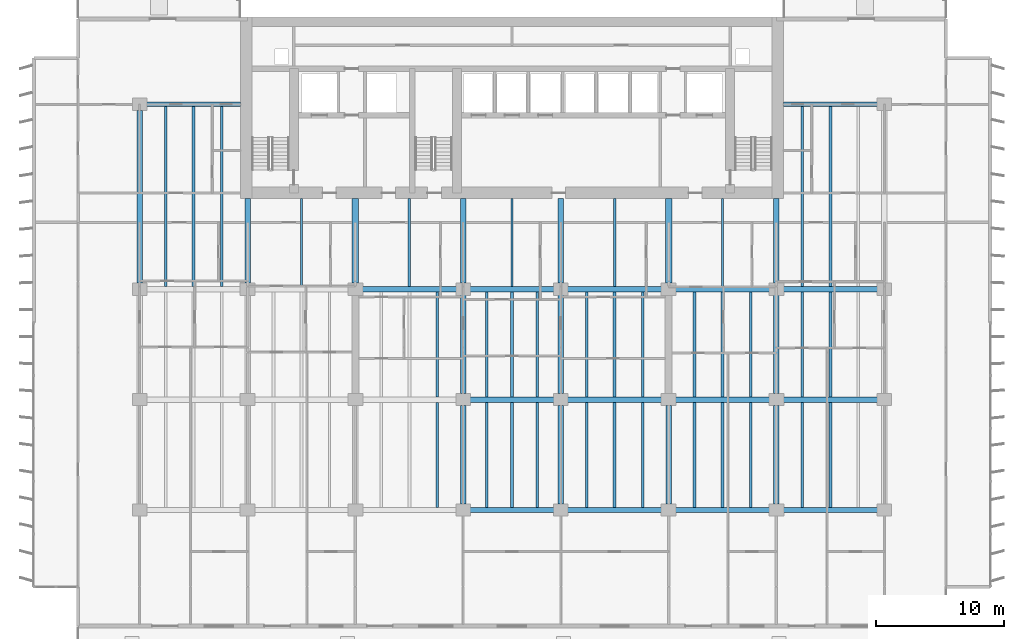
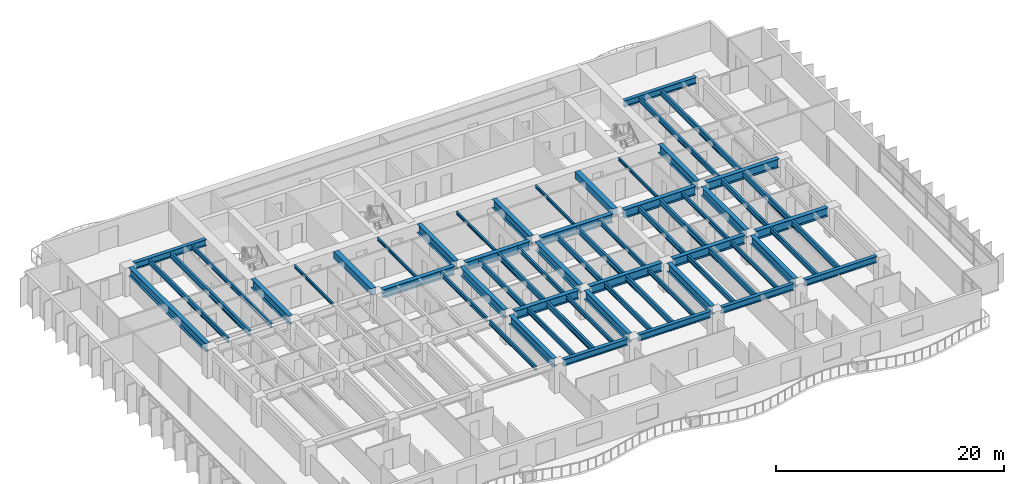
# One storey, part 3 of 17: 63 beams.
"""IFC4 building model written with IfcOpenShell, lengths in metres."""

from ifc_helpers import new_model, si_unit, direction, frame, origin, origin_2d, place, context, subcontext, project, spatial, rectangle, i_section, extrude, material, material_profile, profile_set, type_object, element, save


model = new_model("IFC4")

# Units and contexts
model_context = context("Model", 3, precision=1e-05, world=origin(), true_north=direction((0.0, 1.0)))
body_context = subcontext(model_context, "Body", "Model", "MODEL_VIEW")
ifc_project = project(units=[si_unit("LENGTHUNIT", "METRE"), si_unit("AREAUNIT", "SQUARE_METRE"), si_unit("VOLUMEUNIT", "CUBIC_METRE"), si_unit("PLANEANGLEUNIT", "RADIAN"), si_unit("MASSUNIT", "GRAM", prefix="KILO")], contexts=[model_context])

# Site, building, storey
site_placement = place(None, origin())
site = spatial("IfcSite", under=ifc_project, at=site_placement, CompositionType="ELEMENT")
building_placement = place(site_placement, origin())
building = spatial("IfcBuilding", under=site, at=building_placement, Name="Caelmar Bay Residences", CompositionType="ELEMENT")
storey_placement = place(building_placement, frame((0.0, 0.0, 53.10009765625)))
storey = spatial("IfcBuildingStorey", under=building, at=storey_placement, Name="L13", CompositionType="ELEMENT", Elevation=53.10009765625)

# Beams
ifc_material_1 = material(Name="Steel ASTM A992 Grade 50", Category="steel")
ifc_material_profile_1 = material_profile(ifc_material_1, i_section(OverallWidth=0.422119140625, OverallDepth=0.925048828125, WebThickness=0.021240234375, FlangeThickness=0.03662109375, FilletRadius=0.020263671875, at=origin_2d()), Name="W36X262")
ifc_profile_set_1 = profile_set([ifc_material_profile_1], Name="Steel ASTM A992 Grade 50")
beam_type_1 = type_object("IfcBeamType", Name="BM-GRD-W36X262", PredefinedType="BEAM", material=ifc_profile_set_1)
beam_1_placement = place(storey_placement, frame((35.639892578125, 20.800048828125, 2.58740234375), z_axis=(1.0, 0.0, 0.0), x_axis=(0.0, 1.0, 0.0)))
element("IfcBeam", 1, at=beam_1_placement, inside=storey, type_object=beam_type_1, Name="L13 East-West Girder Y=20.80 (35.1-42.7)", PredefinedType="BEAM", context=body_context, shape_type="SweptSolid", body=[
    extrude(i_section(OverallWidth=0.422119140625, OverallDepth=0.925048828125, WebThickness=0.021240234375, FlangeThickness=0.03662109375, FilletRadius=0.020263671875, at=origin_2d()), origin(), (0.0, 0.0, 1.0), 6.52001953125),
])
for number, where, z_axis, x_axis, name in (
    (2, (43.239990234375, 20.800048828125, 2.58740234375), (1.0, 0.0, 0.0), (0.0, 1.0, 0.0), "L13 East-West Girder Y=20.80 (42.7-51.1)"),
    (3, (51.639892578125, 20.800048828125, 2.58740234375), (1.0, 0.0, 0.0), (0.0, 1.0, 0.0), "L13 East-West Girder Y=20.80 (51.1-59.5)"),
    (4, (60.0400390625, 20.800048828125, 2.58740234375), (1.0, 0.0, 0.0), (0.0, 1.0, 0.0), "L13 East-West Girder Y=20.80 (59.5-67.9)"),
    (5, (27.239990234375, 29.39990234375, 2.58740234375), (1.0, 0.0, 0.0), (0.0, 1.0, 0.0), "L13 East-West Girder Y=29.40 (26.7-35.1)"),
):
    element("IfcBeam", number, at=place(storey_placement, frame(where, z_axis=z_axis, x_axis=x_axis)), inside=storey, type_object=beam_type_1, Name=name, PredefinedType="BEAM", context=body_context, shape_type="SweptSolid", body=[
        extrude(i_section(OverallWidth=0.422119140625, OverallDepth=0.925048828125, WebThickness=0.021240234375, FlangeThickness=0.03662109375, FilletRadius=0.020263671875, at=origin_2d()), origin(), (0.0, 0.0, 1.0), 7.320068359375),
    ])
beam_2_placement = place(storey_placement, frame((35.639892578125, 29.39990234375, 2.58740234375), z_axis=(1.0, 0.0, 0.0), x_axis=(0.0, 1.0, 0.0)))
element("IfcBeam", 6, at=beam_2_placement, inside=storey, type_object=beam_type_1, Name="L13 East-West Girder Y=29.40 (35.1-42.7)", PredefinedType="BEAM", context=body_context, shape_type="SweptSolid", body=[
    extrude(i_section(OverallWidth=0.422119140625, OverallDepth=0.925048828125, WebThickness=0.021240234375, FlangeThickness=0.03662109375, FilletRadius=0.020263671875, at=origin_2d()), origin(), (0.0, 0.0, 1.0), 6.52001953125),
])
for number, where, z_axis, x_axis, name in (
    (7, (43.239990234375, 29.39990234375, 2.58740234375), (1.0, 0.0, 0.0), (0.0, 1.0, 0.0), "L13 East-West Girder Y=29.40 (42.7-51.1)"),
    (8, (51.639892578125, 29.39990234375, 2.58740234375), (1.0, 0.0, 0.0), (0.0, 1.0, 0.0), "L13 East-West Girder Y=29.40 (51.1-59.5)"),
    (9, (60.0400390625, 29.39990234375, 2.58740234375), (1.0, 0.0, 0.0), (0.0, 1.0, 0.0), "L13 East-West Girder Y=29.40 (59.5-67.9)"),
):
    element("IfcBeam", number, at=place(storey_placement, frame(where, z_axis=z_axis, x_axis=x_axis)), inside=storey, type_object=beam_type_1, Name=name, PredefinedType="BEAM", context=body_context, shape_type="SweptSolid", body=[
        extrude(i_section(OverallWidth=0.422119140625, OverallDepth=0.925048828125, WebThickness=0.021240234375, FlangeThickness=0.03662109375, FilletRadius=0.020263671875, at=origin_2d()), origin(), (0.0, 0.0, 1.0), 7.320068359375),
    ])
beam_3_placement = place(storey_placement, frame((9.89990234375, 29.864990234375, 2.58740234375), z_axis=(0.0, 1.0, 0.0), x_axis=(-1.0, 0.0, 0.0)))
element("IfcBeam", 10, at=beam_3_placement, inside=storey, type_object=beam_type_1, Name="L13 North-South Girder X=9.90 (29.4-43.8)", PredefinedType="BEAM", context=body_context, shape_type="SweptSolid", body=[
    extrude(i_section(OverallWidth=0.422119140625, OverallDepth=0.925048828125, WebThickness=0.021240234375, FlangeThickness=0.03662109375, FilletRadius=0.020263671875, at=origin_2d()), origin(), (0.0, 0.0, 1.0), 13.469970703125),
])
for number, where, z_axis, x_axis, name in (
    (11, (18.300048828125, 29.864990234375, 2.58740234375), (0.0, 1.0, 0.0), (-1.0, 0.0, 0.0), "L13 Core Tie Girder X=18.30"),
    (12, (35.10009765625, 29.864990234375, 2.58740234375), (0.0, 1.0, 0.0), (-1.0, 0.0, 0.0), "L13 Core Tie Girder X=35.10"),
):
    element("IfcBeam", number, at=place(storey_placement, frame(where, z_axis=z_axis, x_axis=x_axis)), inside=storey, type_object=beam_type_1, Name=name, PredefinedType="BEAM", context=body_context, shape_type="SweptSolid", body=[
        extrude(i_section(OverallWidth=0.422119140625, OverallDepth=0.925048828125, WebThickness=0.021240234375, FlangeThickness=0.03662109375, FilletRadius=0.020263671875, at=origin_2d()), origin(), (0.0, 0.0, 1.0), 6.5849609375),
    ])
beam_4_placement = place(storey_placement, frame((35.10009765625, 12.6650390625, 2.58740234375), z_axis=(0.0, 1.0, 0.0), x_axis=(-1.0, 0.0, 0.0)))
element("IfcBeam", 13, at=beam_4_placement, inside=storey, type_object=beam_type_1, Name="L13 North-South Girder X=35.10 (12.2-20.8)", PredefinedType="BEAM", context=body_context, shape_type="SweptSolid", body=[
    extrude(i_section(OverallWidth=0.422119140625, OverallDepth=0.925048828125, WebThickness=0.021240234375, FlangeThickness=0.03662109375, FilletRadius=0.020263671875, at=origin_2d()), origin(), (0.0, 0.0, 1.0), 7.669921875),
])
beam_5_placement = place(storey_placement, frame((35.10009765625, 21.264892578125, 2.58740234375), z_axis=(0.0, 1.0, 0.0), x_axis=(-1.0, 0.0, 0.0)))
element("IfcBeam", 14, at=beam_5_placement, inside=storey, type_object=beam_type_1, Name="L13 North-South Girder X=35.10 (20.8-29.4)", PredefinedType="BEAM", context=body_context, shape_type="SweptSolid", body=[
    extrude(i_section(OverallWidth=0.422119140625, OverallDepth=0.925048828125, WebThickness=0.021240234375, FlangeThickness=0.03662109375, FilletRadius=0.020263671875, at=origin_2d()), origin(), (0.0, 0.0, 1.0), 7.670166015625),
])
beam_6_placement = place(storey_placement, frame((42.699951171875, 29.864990234375, 2.58740234375), z_axis=(0.0, 1.0, 0.0), x_axis=(-1.0, 0.0, 0.0)))
element("IfcBeam", 15, at=beam_6_placement, inside=storey, type_object=beam_type_1, Name="L13 Core Tie Girder X=42.70", PredefinedType="BEAM", context=body_context, shape_type="SweptSolid", body=[
    extrude(i_section(OverallWidth=0.422119140625, OverallDepth=0.925048828125, WebThickness=0.021240234375, FlangeThickness=0.03662109375, FilletRadius=0.020263671875, at=origin_2d()), origin(), (0.0, 0.0, 1.0), 6.5849609375),
])
beam_7_placement = place(storey_placement, frame((42.699951171875, 12.6650390625, 2.58740234375), z_axis=(0.0, 1.0, 0.0), x_axis=(-1.0, 0.0, 0.0)))
element("IfcBeam", 16, at=beam_7_placement, inside=storey, type_object=beam_type_1, Name="L13 North-South Girder X=42.70 (12.2-20.8)", PredefinedType="BEAM", context=body_context, shape_type="SweptSolid", body=[
    extrude(i_section(OverallWidth=0.422119140625, OverallDepth=0.925048828125, WebThickness=0.021240234375, FlangeThickness=0.03662109375, FilletRadius=0.020263671875, at=origin_2d()), origin(), (0.0, 0.0, 1.0), 7.669921875),
])
beam_8_placement = place(storey_placement, frame((42.699951171875, 21.264892578125, 2.58740234375), z_axis=(0.0, 1.0, 0.0), x_axis=(-1.0, 0.0, 0.0)))
element("IfcBeam", 17, at=beam_8_placement, inside=storey, type_object=beam_type_1, Name="L13 North-South Girder X=42.70 (20.8-29.4)", PredefinedType="BEAM", context=body_context, shape_type="SweptSolid", body=[
    extrude(i_section(OverallWidth=0.422119140625, OverallDepth=0.925048828125, WebThickness=0.021240234375, FlangeThickness=0.03662109375, FilletRadius=0.020263671875, at=origin_2d()), origin(), (0.0, 0.0, 1.0), 7.670166015625),
])
beam_9_placement = place(storey_placement, frame((51.10009765625, 12.6650390625, 2.58740234375), z_axis=(0.0, 1.0, 0.0), x_axis=(-1.0, 0.0, 0.0)))
element("IfcBeam", 18, at=beam_9_placement, inside=storey, type_object=beam_type_1, Name="L13 North-South Girder X=51.10 (12.2-20.8)", PredefinedType="BEAM", context=body_context, shape_type="SweptSolid", body=[
    extrude(i_section(OverallWidth=0.422119140625, OverallDepth=0.925048828125, WebThickness=0.021240234375, FlangeThickness=0.03662109375, FilletRadius=0.020263671875, at=origin_2d()), origin(), (0.0, 0.0, 1.0), 7.669921875),
])
beam_10_placement = place(storey_placement, frame((59.5, 29.864990234375, 2.58740234375), z_axis=(0.0, 1.0, 0.0), x_axis=(-1.0, 0.0, 0.0)))
element("IfcBeam", 19, at=beam_10_placement, inside=storey, type_object=beam_type_1, Name="L13 Core Tie Girder X=59.50", PredefinedType="BEAM", context=body_context, shape_type="SweptSolid", body=[
    extrude(i_section(OverallWidth=0.422119140625, OverallDepth=0.925048828125, WebThickness=0.021240234375, FlangeThickness=0.03662109375, FilletRadius=0.020263671875, at=origin_2d()), origin(), (0.0, 0.0, 1.0), 6.5849609375),
])
beam_11_placement = place(storey_placement, frame((59.5, 12.6650390625, 2.58740234375), z_axis=(0.0, 1.0, 0.0), x_axis=(-1.0, 0.0, 0.0)))
element("IfcBeam", 20, at=beam_11_placement, inside=storey, type_object=beam_type_1, Name="L13 North-South Girder X=59.50 (12.2-20.8)", PredefinedType="BEAM", context=body_context, shape_type="SweptSolid", body=[
    extrude(i_section(OverallWidth=0.422119140625, OverallDepth=0.925048828125, WebThickness=0.021240234375, FlangeThickness=0.03662109375, FilletRadius=0.020263671875, at=origin_2d()), origin(), (0.0, 0.0, 1.0), 7.669921875),
])
beam_12_placement = place(storey_placement, frame((59.5, 21.264892578125, 2.58740234375), z_axis=(0.0, 1.0, 0.0), x_axis=(-1.0, 0.0, 0.0)))
element("IfcBeam", 21, at=beam_12_placement, inside=storey, type_object=beam_type_1, Name="L13 North-South Girder X=59.50 (20.8-29.4)", PredefinedType="BEAM", context=body_context, shape_type="SweptSolid", body=[
    extrude(i_section(OverallWidth=0.422119140625, OverallDepth=0.925048828125, WebThickness=0.021240234375, FlangeThickness=0.03662109375, FilletRadius=0.020263671875, at=origin_2d()), origin(), (0.0, 0.0, 1.0), 7.670166015625),
])
ifc_material_profile_2 = material_profile(ifc_material_1, i_section(OverallWidth=0.1650390625, OverallDepth=0.31005859375, WebThickness=0.005859375, FlangeThickness=0.009765625, FilletRadius=0.007568359375, at=origin_2d()), Name="W12X26")
ifc_profile_set_2 = profile_set([ifc_material_profile_2], Name="Steel ASTM A992 Grade 50")
beam_type_2 = type_object("IfcBeamType", Name="BM-JST-W12X26", PredefinedType="JOIST", material=ifc_profile_set_2)
for number, where, z_axis, x_axis, name in (
    (22, (22.5, 29.611083984375, 2.89501953125), (0.0, 1.0, 0.0), (-1.0, 0.0, 0.0), "L13 Core-Band Composite Joist 43"),
    (23, (30.89990234375, 29.611083984375, 2.89501953125), (0.0, 1.0, 0.0), (-1.0, 0.0, 0.0), "L13 Core-Band Composite Joist 44"),
    (24, (38.89990234375, 29.611083984375, 2.89501953125), (0.0, 1.0, 0.0), (-1.0, 0.0, 0.0), "L13 Core-Band Composite Joist 45"),
    (25, (46.89990234375, 29.611083984375, 2.89501953125), (0.0, 1.0, 0.0), (-1.0, 0.0, 0.0), "L13 Core-Band Composite Joist 46"),
    (26, (55.300048828125, 29.611083984375, 2.89501953125), (0.0, 1.0, 0.0), (-1.0, 0.0, 0.0), "L13 Core-Band Composite Joist 47"),
):
    element("IfcBeam", number, at=place(storey_placement, frame(where, z_axis=z_axis, x_axis=x_axis)), inside=storey, type_object=beam_type_2, Name=name, PredefinedType="JOIST", context=body_context, shape_type="SweptSolid", body=[
        extrude(i_section(OverallWidth=0.1650390625, OverallDepth=0.31005859375, WebThickness=0.005859375, FlangeThickness=0.009765625, FilletRadius=0.007568359375, at=origin_2d()), origin(), (0.0, 0.0, 1.0), 6.8388671875),
    ])
ifc_material_profile_3 = material_profile(ifc_material_1, i_section(OverallWidth=0.19091796875, OverallDepth=0.45703125, WebThickness=0.009033203125, FlangeThickness=0.014404296875, FilletRadius=0.01025390625, at=origin_2d()), Name="W18X50")
ifc_profile_set_3 = profile_set([ifc_material_profile_3], Name="Steel ASTM A992 Grade 50")
beam_type_3 = type_object("IfcBeamType", Name="BM-JST-W18X50", PredefinedType="JOIST", material=ifc_profile_set_3)
for number, where, z_axis, x_axis, name in (
    (27, (33.083984375, 12.3779296875, 2.8212890625), (0.0, 1.0, 0.0), (-1.0, 0.0, 0.0), "L13 Composite Floor Joist 9"),
    (28, (40.8759765625, 12.3779296875, 2.8212890625), (0.0, 1.0, 0.0), (-1.0, 0.0, 0.0), "L13 Composite Floor Joist 12"),
    (29, (49.083984375, 12.3779296875, 2.8212890625), (0.0, 1.0, 0.0), (-1.0, 0.0, 0.0), "L13 Composite Floor Joist 15"),
    (30, (57.48388671875, 12.3779296875, 2.8212890625), (0.0, 1.0, 0.0), (-1.0, 0.0, 0.0), "L13 Composite Floor Joist 18"),
):
    element("IfcBeam", number, at=place(storey_placement, frame(where, z_axis=z_axis, x_axis=x_axis)), inside=storey, type_object=beam_type_3, Name=name, PredefinedType="JOIST", context=body_context, shape_type="SweptSolid", body=[
        extrude(i_section(OverallWidth=0.19091796875, OverallDepth=0.45703125, WebThickness=0.009033203125, FlangeThickness=0.014404296875, FilletRadius=0.01025390625, at=origin_2d()), origin(), (0.0, 0.0, 1.0), 8.211181640625),
    ])
for number, where, z_axis, x_axis, name in (
    (31, (33.083984375, 21.010986328125, 2.8212890625), (0.0, 1.0, 0.0), (-1.0, 0.0, 0.0), "L13 Composite Floor Joist 30"),
    (32, (40.8759765625, 21.010986328125, 2.8212890625), (0.0, 1.0, 0.0), (-1.0, 0.0, 0.0), "L13 Composite Floor Joist 33"),
    (33, (49.083984375, 21.010986328125, 2.8212890625), (0.0, 1.0, 0.0), (-1.0, 0.0, 0.0), "L13 Composite Floor Joist 36"),
    (34, (57.48388671875, 21.010986328125, 2.8212890625), (0.0, 1.0, 0.0), (-1.0, 0.0, 0.0), "L13 Composite Floor Joist 39"),
):
    element("IfcBeam", number, at=place(storey_placement, frame(where, z_axis=z_axis, x_axis=x_axis)), inside=storey, type_object=beam_type_3, Name=name, PredefinedType="JOIST", context=body_context, shape_type="SweptSolid", body=[
        extrude(i_section(OverallWidth=0.19091796875, OverallDepth=0.45703125, WebThickness=0.009033203125, FlangeThickness=0.014404296875, FilletRadius=0.01025390625, at=origin_2d()), origin(), (0.0, 0.0, 1.0), 8.177978515625),
    ])
beam_13_placement = place(storey_placement, frame((16.283935546875, 29.611083984375, 2.8212890625), z_axis=(0.0, 1.0, 0.0), x_axis=(-1.0, 0.0, 0.0)))
element("IfcBeam", 35, at=beam_13_placement, inside=storey, type_object=beam_type_3, Name="L13 Composite Floor Joist 50", PredefinedType="JOIST", context=body_context, shape_type="SweptSolid", body=[
    extrude(i_section(OverallWidth=0.19091796875, OverallDepth=0.45703125, WebThickness=0.009033203125, FlangeThickness=0.014404296875, FilletRadius=0.01025390625, at=origin_2d()), origin(), (0.0, 0.0, 1.0), 14.010986328125),
])
ifc_material_profile_4 = material_profile(ifc_material_1, i_section(OverallWidth=0.2099609375, OverallDepth=0.535888671875, WebThickness=0.010986328125, FlangeThickness=0.017333984375, FilletRadius=0.0126953125, at=origin_2d()), Name="W21X68")
ifc_profile_set_4 = profile_set([ifc_material_profile_4], Name="Steel ASTM A992 Grade 50")
beam_type_4 = type_object("IfcBeamType", Name="BM-JST-W21X68", PredefinedType="JOIST", material=ifc_profile_set_4)
for number, where, z_axis, x_axis, name in (
    (36, (36.924072265625, 12.3779296875, 2.781982421875), (0.0, 1.0, 0.0), (-1.0, 0.0, 0.0), "L13 Composite Floor Joist 10"),
    (37, (44.716064453125, 12.3779296875, 2.781982421875), (0.0, 1.0, 0.0), (-1.0, 0.0, 0.0), "L13 Composite Floor Joist 13"),
    (38, (53.115966796875, 12.3779296875, 2.781982421875), (0.0, 1.0, 0.0), (-1.0, 0.0, 0.0), "L13 Composite Floor Joist 16"),
    (39, (61.51611328125, 12.3779296875, 2.781982421875), (0.0, 1.0, 0.0), (-1.0, 0.0, 0.0), "L13 Composite Floor Joist 19"),
):
    element("IfcBeam", number, at=place(storey_placement, frame(where, z_axis=z_axis, x_axis=x_axis)), inside=storey, type_object=beam_type_4, Name=name, PredefinedType="JOIST", context=body_context, shape_type="SweptSolid", body=[
        extrude(i_section(OverallWidth=0.2099609375, OverallDepth=0.535888671875, WebThickness=0.010986328125, FlangeThickness=0.017333984375, FilletRadius=0.0126953125, at=origin_2d()), origin(), (0.0, 0.0, 1.0), 8.211181640625),
    ])
for number, where, z_axis, x_axis, name in (
    (40, (36.924072265625, 21.010986328125, 2.781982421875), (0.0, 1.0, 0.0), (-1.0, 0.0, 0.0), "L13 Composite Floor Joist 31"),
    (41, (44.716064453125, 21.010986328125, 2.781982421875), (0.0, 1.0, 0.0), (-1.0, 0.0, 0.0), "L13 Composite Floor Joist 34"),
    (42, (53.115966796875, 21.010986328125, 2.781982421875), (0.0, 1.0, 0.0), (-1.0, 0.0, 0.0), "L13 Composite Floor Joist 37"),
    (43, (61.51611328125, 21.010986328125, 2.781982421875), (0.0, 1.0, 0.0), (-1.0, 0.0, 0.0), "L13 Composite Floor Joist 40"),
):
    element("IfcBeam", number, at=place(storey_placement, frame(where, z_axis=z_axis, x_axis=x_axis)), inside=storey, type_object=beam_type_4, Name=name, PredefinedType="JOIST", context=body_context, shape_type="SweptSolid", body=[
        extrude(i_section(OverallWidth=0.2099609375, OverallDepth=0.535888671875, WebThickness=0.010986328125, FlangeThickness=0.017333984375, FilletRadius=0.0126953125, at=origin_2d()), origin(), (0.0, 0.0, 1.0), 8.177978515625),
    ])
for number, where, z_axis, x_axis, name in (
    (44, (11.916015625, 29.611083984375, 2.781982421875), (0.0, 1.0, 0.0), (-1.0, 0.0, 0.0), "L13 Composite Floor Joist 48"),
    (45, (61.51611328125, 29.611083984375, 2.781982421875), (0.0, 1.0, 0.0), (-1.0, 0.0, 0.0), "L13 Composite Floor Joist 51"),
):
    element("IfcBeam", number, at=place(storey_placement, frame(where, z_axis=z_axis, x_axis=x_axis)), inside=storey, type_object=beam_type_4, Name=name, PredefinedType="JOIST", context=body_context, shape_type="SweptSolid", body=[
        extrude(i_section(OverallWidth=0.2099609375, OverallDepth=0.535888671875, WebThickness=0.010986328125, FlangeThickness=0.017333984375, FilletRadius=0.0126953125, at=origin_2d()), origin(), (0.0, 0.0, 1.0), 14.010986328125),
    ])
ifc_material_profile_5 = material_profile(ifc_material_1, i_section(OverallWidth=0.22900390625, OverallDepth=0.612060546875, WebThickness=0.011962890625, FlangeThickness=0.01953125, FilletRadius=0.0126953125, at=origin_2d()), Name="W24X84")
ifc_profile_set_5 = profile_set([ifc_material_profile_5], Name="Steel ASTM A992 Grade 50")
beam_type_5 = type_object("IfcBeamType", Name="BM-JST-W24X84", PredefinedType="JOIST", material=ifc_profile_set_5)
for number, where, z_axis, x_axis, name in (
    (46, (38.89990234375, 12.3779296875, 2.743896484375), (0.0, 1.0, 0.0), (-1.0, 0.0, 0.0), "L13 Composite Floor Joist 11"),
    (47, (46.89990234375, 12.3779296875, 2.743896484375), (0.0, 1.0, 0.0), (-1.0, 0.0, 0.0), "L13 Composite Floor Joist 14"),
    (48, (55.300048828125, 12.3779296875, 2.743896484375), (0.0, 1.0, 0.0), (-1.0, 0.0, 0.0), "L13 Composite Floor Joist 17"),
    (49, (63.699951171875, 12.3779296875, 2.743896484375), (0.0, 1.0, 0.0), (-1.0, 0.0, 0.0), "L13 Composite Floor Joist 20"),
):
    element("IfcBeam", number, at=place(storey_placement, frame(where, z_axis=z_axis, x_axis=x_axis)), inside=storey, type_object=beam_type_5, Name=name, PredefinedType="JOIST", context=body_context, shape_type="SweptSolid", body=[
        extrude(i_section(OverallWidth=0.22900390625, OverallDepth=0.612060546875, WebThickness=0.011962890625, FlangeThickness=0.01953125, FilletRadius=0.0126953125, at=origin_2d()), origin(), (0.0, 0.0, 1.0), 8.211181640625),
    ])
for number, where, z_axis, x_axis, name in (
    (50, (38.89990234375, 21.010986328125, 2.743896484375), (0.0, 1.0, 0.0), (-1.0, 0.0, 0.0), "L13 Composite Floor Joist 32"),
    (51, (46.89990234375, 21.010986328125, 2.743896484375), (0.0, 1.0, 0.0), (-1.0, 0.0, 0.0), "L13 Composite Floor Joist 35"),
    (52, (55.300048828125, 21.010986328125, 2.743896484375), (0.0, 1.0, 0.0), (-1.0, 0.0, 0.0), "L13 Composite Floor Joist 38"),
    (53, (63.699951171875, 21.010986328125, 2.743896484375), (0.0, 1.0, 0.0), (-1.0, 0.0, 0.0), "L13 Composite Floor Joist 41"),
):
    element("IfcBeam", number, at=place(storey_placement, frame(where, z_axis=z_axis, x_axis=x_axis)), inside=storey, type_object=beam_type_5, Name=name, PredefinedType="JOIST", context=body_context, shape_type="SweptSolid", body=[
        extrude(i_section(OverallWidth=0.22900390625, OverallDepth=0.612060546875, WebThickness=0.011962890625, FlangeThickness=0.01953125, FilletRadius=0.0126953125, at=origin_2d()), origin(), (0.0, 0.0, 1.0), 8.177978515625),
    ])
for number, where, z_axis, x_axis, name in (
    (54, (14.10009765625, 29.611083984375, 2.743896484375), (0.0, 1.0, 0.0), (-1.0, 0.0, 0.0), "L13 Composite Floor Joist 49"),
    (55, (63.699951171875, 29.611083984375, 2.743896484375), (0.0, 1.0, 0.0), (-1.0, 0.0, 0.0), "L13 Composite Floor Joist 52"),
):
    element("IfcBeam", number, at=place(storey_placement, frame(where, z_axis=z_axis, x_axis=x_axis)), inside=storey, type_object=beam_type_5, Name=name, PredefinedType="JOIST", context=body_context, shape_type="SweptSolid", body=[
        extrude(i_section(OverallWidth=0.22900390625, OverallDepth=0.612060546875, WebThickness=0.011962890625, FlangeThickness=0.01953125, FilletRadius=0.0126953125, at=origin_2d()), origin(), (0.0, 0.0, 1.0), 14.010986328125),
    ])
ifc_material_2 = material(Name="Concrete f'c 55 MPa (8,000 psi)", Category="concrete")
ifc_material_profile_6 = material_profile(ifc_material_2, rectangle(XDim=0.5, YDim=0.699951171875, at=origin_2d()), Name="RC-BM-500X700")
ifc_profile_set_6 = profile_set([ifc_material_profile_6], Name="Concrete f'c 55 MPa (8,000 psi)")
beam_type_6 = type_object("IfcBeamType", Name="BM-RC-500X700", PredefinedType="LINTEL", material=ifc_profile_set_6)
for number, where, z_axis, x_axis, name in (
    (56, (26.699951171875, 29.864990234375, 2.699951171875), (0.0, 1.0, 0.0), (-1.0, 0.0, 0.0), "L13 Shear-Wall Corridor Coupling Lintel W5"),
    (57, (51.10009765625, 29.864990234375, 2.699951171875), (0.0, 1.0, 0.0), (-1.0, 0.0, 0.0), "L13 Shear-Wall Corridor Coupling Lintel E8"),
):
    element("IfcBeam", number, at=place(storey_placement, frame(where, z_axis=z_axis, x_axis=x_axis)), inside=storey, type_object=beam_type_6, Name=name, PredefinedType="LINTEL", context=body_context, shape_type="SweptSolid", body=[
        extrude(rectangle(XDim=0.5, YDim=0.699951171875, at=origin_2d()), origin(), (0.0, 0.0, 1.0), 6.5849609375),
    ])
ifc_material_profile_7 = material_profile(ifc_material_1, i_section(OverallWidth=0.35595703125, OverallDepth=0.696044921875, WebThickness=0.015380859375, FlangeThickness=0.02490234375, FilletRadius=0.01513671875, at=origin_2d()), Name="W27X146")
ifc_profile_set_7 = profile_set([ifc_material_profile_7], Name="Steel ASTM A992 Grade 50")
beam_type_7 = type_object("IfcBeamType", Name="BM-SPN-W27X146", PredefinedType="SPANDREL", material=ifc_profile_set_7)
beam_14_placement = place(storey_placement, frame((35.639892578125, 12.199951171875, 2.701904296875), z_axis=(1.0, 0.0, 0.0), x_axis=(0.0, 1.0, 0.0)))
element("IfcBeam", 58, at=beam_14_placement, inside=storey, type_object=beam_type_7, Name="L13 East-West Girder Y=12.20 (35.1-42.7)", PredefinedType="SPANDREL", context=body_context, shape_type="SweptSolid", body=[
    extrude(i_section(OverallWidth=0.35595703125, OverallDepth=0.696044921875, WebThickness=0.015380859375, FlangeThickness=0.02490234375, FilletRadius=0.01513671875, at=origin_2d()), origin(), (0.0, 0.0, 1.0), 6.52001953125),
])
for number, where, z_axis, x_axis, name in (
    (59, (43.239990234375, 12.199951171875, 2.701904296875), (1.0, 0.0, 0.0), (0.0, 1.0, 0.0), "L13 East-West Girder Y=12.20 (42.7-51.1)"),
    (60, (51.639892578125, 12.199951171875, 2.701904296875), (1.0, 0.0, 0.0), (0.0, 1.0, 0.0), "L13 East-West Girder Y=12.20 (51.1-59.5)"),
    (61, (60.0400390625, 12.199951171875, 2.701904296875), (1.0, 0.0, 0.0), (0.0, 1.0, 0.0), "L13 East-West Girder Y=12.20 (59.5-67.9)"),
):
    element("IfcBeam", number, at=place(storey_placement, frame(where, z_axis=z_axis, x_axis=x_axis)), inside=storey, type_object=beam_type_7, Name=name, PredefinedType="SPANDREL", context=body_context, shape_type="SweptSolid", body=[
        extrude(i_section(OverallWidth=0.35595703125, OverallDepth=0.696044921875, WebThickness=0.015380859375, FlangeThickness=0.02490234375, FilletRadius=0.01513671875, at=origin_2d()), origin(), (0.0, 0.0, 1.0), 7.320068359375),
    ])
for number, where, z_axis, x_axis, name in (
    (62, (10.43994140625, 43.800048828125, 2.701904296875), (1.0, 0.0, 0.0), (0.0, 1.0, 0.0), "L13 North-West Wing Core Tie Girder"),
    (63, (60.050048828125, 43.800048828125, 2.701904296875), (1.0, 0.0, 0.0), (0.0, 1.0, 0.0), "L13 North-East Wing Core Tie Girder"),
):
    element("IfcBeam", number, at=place(storey_placement, frame(where, z_axis=z_axis, x_axis=x_axis)), inside=storey, type_object=beam_type_7, Name=name, PredefinedType="SPANDREL", context=body_context, shape_type="SweptSolid", body=[
        extrude(i_section(OverallWidth=0.35595703125, OverallDepth=0.696044921875, WebThickness=0.015380859375, FlangeThickness=0.02490234375, FilletRadius=0.01513671875, at=origin_2d()), origin(), (0.0, 0.0, 1.0), 7.31005859375),
    ])

save(model, "model.ifc")
